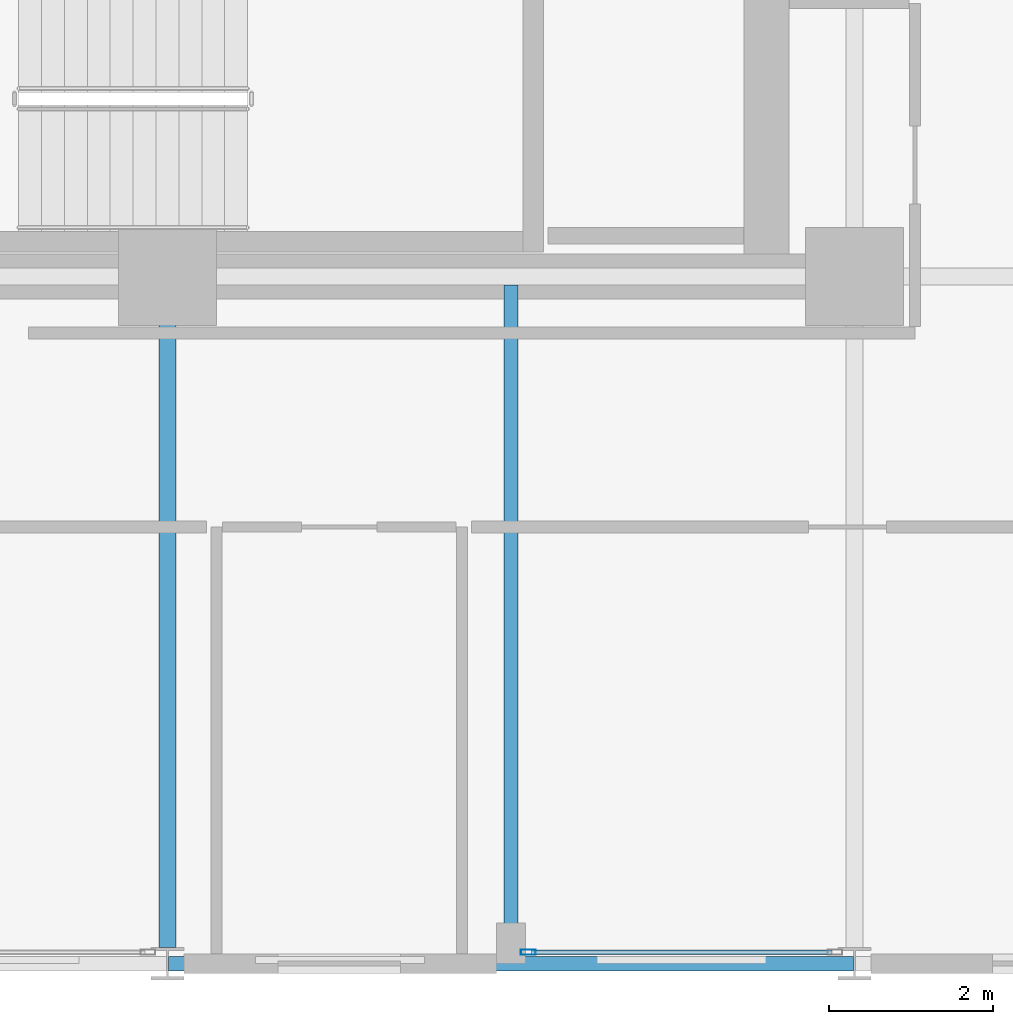
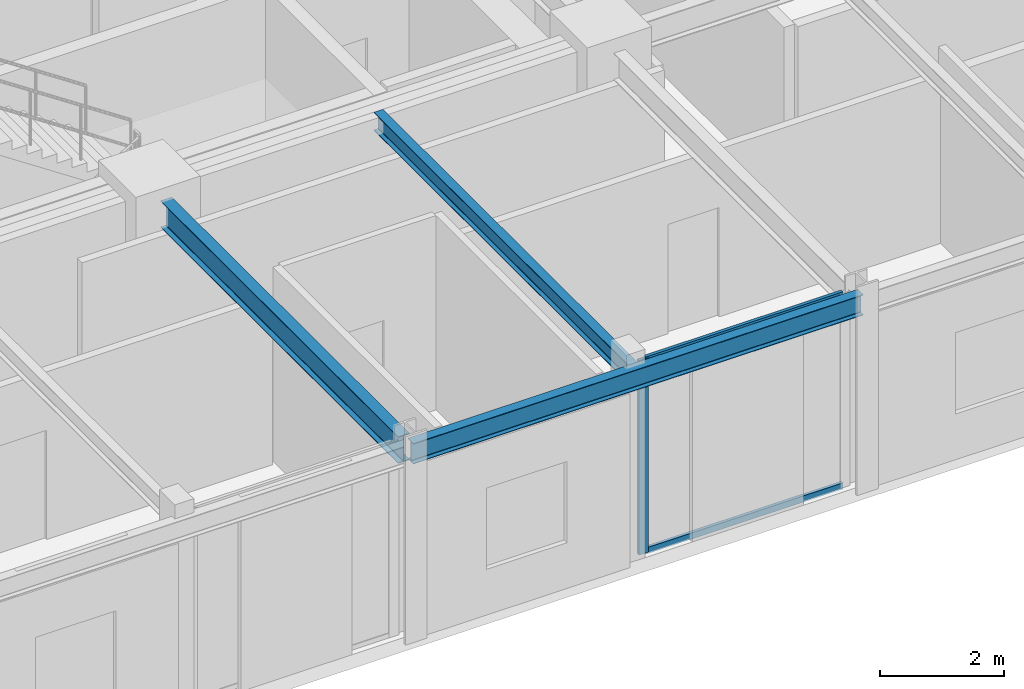
# One storey, part 9 of 38: 3 beams, 3 members, 1 element without a shape of its own.
"""IFC4 building model written with IfcOpenShell, lengths in metres."""

import ifcopenshell
import ifcopenshell.guid

model = None  # the IFC model being written
_history = None  # IfcOwnerHistory: only IFC2X3 demands one
_inside = {}  # id of a spatial element -> (the spatial element, [elements in it])
_under = {}  # id of a project, library or spatial element -> (it, [spatial elements below it])
_declared = {}  # id of a project -> (the project, [libraries it declares])
_typed = {}  # id of a type object -> (the type object, [elements of that type])
_made_of = {}  # id of a material, layer set ... -> (it, [elements and type objects made of it])


def new_model(schema):
    """Start an empty IFC model of exactly this schema.

    Asked for "IFC4X3", IfcOpenShell would pick the latest addendum, in which some entities
    have other attributes; the version numbers below select the first issue.
    IFC2X3 requires an IfcOwnerHistory on every rooted entity: one is made here for all.
    """
    global model, _history
    if schema == "IFC4X3":
        model = ifcopenshell.file(schema_version=(4, 3, 0, 0))
    else:
        model = ifcopenshell.file(schema=schema)
    _inside.clear()
    _under.clear()
    _declared.clear()
    _typed.clear()
    _made_of.clear()
    _history = None
    if model.schema == "IFC2X3":
        org = make("IfcOrganization", Name="unknown")
        user = make(
            "IfcPersonAndOrganization",
            ThePerson=make("IfcPerson", FamilyName="unknown"),
            TheOrganization=org,
        )
        app = make(
            "IfcApplication",
            ApplicationDeveloper=org,
            Version="unknown",
            ApplicationFullName="unknown",
            ApplicationIdentifier="unknown",
        )
        _history = make(
            "IfcOwnerHistory",
            OwningUser=user,
            OwningApplication=app,
            ChangeAction="ADDED",
            CreationDate=0,
        )
    return model


def make(cls, **values):
    """One entity of the class cls with the attributes given. An attribute that is None is left unset."""
    return model.create_entity(
        cls, **{name: value for name, value in values.items() if value is not None}
    )


def rooted(cls, **values):
    """An entity with a GlobalId (a new one), such as an element, a storey or a relation."""
    return make(cls, GlobalId=ifcopenshell.guid.new(), OwnerHistory=_history, **values)


def si_unit(unit_type, name, prefix=None):
    """IfcSIUnit, for example si_unit("LENGTHUNIT", "METRE", prefix="MILLI")."""
    return make("IfcSIUnit", UnitType=unit_type, Prefix=prefix, Name=name)


def assignment(units):
    """IfcUnitAssignment: the units of a project."""
    return None if units is None else make("IfcUnitAssignment", Units=units)


def point(xyz):
    """IfcCartesianPoint."""
    return None if xyz is None else make("IfcCartesianPoint", Coordinates=xyz)


def direction(xyz):
    """IfcDirection."""
    return None if xyz is None else make("IfcDirection", DirectionRatios=xyz)


def frame(location, z_axis=None, x_axis=None):
    """IfcAxis2Placement3D, a coordinate frame: its origin and axes. An axis left out is left unset."""
    return make(
        "IfcAxis2Placement3D",
        Location=point(location),
        Axis=direction(z_axis),
        RefDirection=direction(x_axis),
    )


def frame_2d(location, x_axis=None):
    """IfcAxis2Placement2D, a coordinate frame in the plane: its origin and x axis."""
    return make(
        "IfcAxis2Placement2D", Location=point(location), RefDirection=direction(x_axis)
    )


def origin():
    """The frame at (0, 0, 0) with its axes left unset."""
    return frame((0.0, 0.0, 0.0))


def origin_2d():
    """The frame at (0, 0) in the plane with its x axis left unset."""
    return frame_2d((0.0, 0.0))


def place(relative_to, where):
    """IfcLocalPlacement: puts the frame where relative to a parent placement (None: the world)."""
    return make(
        "IfcLocalPlacement", PlacementRelTo=relative_to, RelativePlacement=where
    )


def context(
    kind, dimensions, precision=None, world=None, true_north=None, identifier=None
):
    """IfcGeometricRepresentationContext, for example the 3D "Model" context."""
    return make(
        "IfcGeometricRepresentationContext",
        ContextIdentifier=identifier,
        ContextType=kind,
        CoordinateSpaceDimension=dimensions,
        Precision=precision,
        WorldCoordinateSystem=world,
        TrueNorth=true_north,
    )


def subcontext(parent, identifier, kind, view, scale=None):
    """IfcGeometricRepresentationSubContext, for example "Body" below "Model"."""
    return make(
        "IfcGeometricRepresentationSubContext",
        ContextIdentifier=identifier,
        ContextType=kind,
        ParentContext=parent,
        TargetScale=scale,
        TargetView=view,
    )


def project(units=None, contexts=None):
    """IfcProject with its units and contexts."""
    return rooted(
        "IfcProject",
        Name="project",
        RepresentationContexts=contexts,
        UnitsInContext=assignment(units),
    )


def spatial(cls, under=None, at=None, **own):
    """A site, building, storey or space (cls), placed at a placement, below another one or the project."""
    s = rooted(cls, ObjectPlacement=at, **own)
    if under is not None:
        _under.setdefault(under.id(), (under, []))[1].append(s)
    return s


def profile(cls, at=None, kind="AREA", **sizes):
    """A parametric profile (cls). Its sizes go by their IFC names, for example OverallWidth=200.0."""
    return make(cls, ProfileType=kind, Position=at, **sizes)


def hollow_rectangle(**sizes):
    """IfcRectangleHollowProfileDef."""
    return profile("IfcRectangleHollowProfileDef", **sizes)


def i_section(**sizes):
    """IfcIShapeProfileDef."""
    return profile("IfcIShapeProfileDef", **sizes)


def extrude(swept, where, along, depth):
    """IfcExtrudedAreaSolid: the profile swept, set in the frame where, extruded along a direction by depth."""
    return make(
        "IfcExtrudedAreaSolid",
        SweptArea=swept,
        Position=where,
        ExtrudedDirection=direction(along),
        Depth=depth,
    )


def shape(context_of_items, identifier, shape_type, items):
    """IfcShapeRepresentation: the items that make up one representation, for example the "Body"."""
    return make(
        "IfcShapeRepresentation",
        ContextOfItems=context_of_items,
        RepresentationIdentifier=identifier,
        RepresentationType=shape_type,
        Items=items,
    )


def material(Name=None, Category=None):
    """IfcMaterial."""
    return make("IfcMaterial", Name=Name, Category=Category)


def layer(
    of_material, thickness, ventilated=None, Name=None, Category=None, Priority=None
):
    """IfcMaterialLayer: one layer of a wall or slab, of a material (None: an air gap)."""
    return make(
        "IfcMaterialLayer",
        Material=of_material,
        LayerThickness=thickness,
        IsVentilated=ventilated,
        Name=Name,
        Category=Category,
        Priority=Priority,
    )


def layer_set(layers, Name=None):
    """IfcMaterialLayerSet."""
    return make("IfcMaterialLayerSet", MaterialLayers=layers, LayerSetName=Name)


def material_profile(
    of_material, cross_section, Name=None, Category=None, Priority=None
):
    """IfcMaterialProfile: a cross section and its material."""
    return make(
        "IfcMaterialProfile",
        Name=Name,
        Material=of_material,
        Profile=cross_section,
        Priority=Priority,
        Category=Category,
    )


def profile_set(profiles, Name=None, composite=None):
    """IfcMaterialProfileSet."""
    return make(
        "IfcMaterialProfileSet",
        Name=Name,
        MaterialProfiles=profiles,
        CompositeProfile=composite,
    )


def made_of(thing, what):
    """Note that an element or type object is made of a material, layer set ...; save() writes the relation."""
    if what is not None:
        _made_of.setdefault(what.id(), (what, []))[1].append(thing)
    return thing


def type_object(cls, material=None, **own):
    """A type object (cls), such as IfcWallType, which elements share."""
    return made_of(rooted(cls, **own), material)


def element(
    cls,
    number,
    at=None,
    inside=None,
    cuts=None,
    type_object=None,
    material=None,
    context=None,
    identifier="Body",
    shape_type=None,
    held_by="IfcProductDefinitionShape",
    body=None,
    shapes=None,
    **own,
):
    """One element of the class cls, such as IfcWall. Its Tag is "e" and its number.

    at: its placement. inside: the storey or other place that contains it. cuts: it is an
    opening in that element (IfcRelVoidsElement). A single representation is given by context,
    identifier, shape_type and body (its items); several are given by shapes. held_by: the class
    of the entity that holds the representations. save() writes the other relations.
    """
    e = rooted(cls, Tag="e%d" % number, ObjectPlacement=at, **own)
    if body is not None:
        shapes = [shape(context, identifier, shape_type, body)]
    if shapes is not None:
        e.Representation = make(held_by, Representations=shapes)
    if inside is not None:
        _inside.setdefault(inside.id(), (inside, []))[1].append(e)
    if cuts is not None:
        rooted(
            "IfcRelVoidsElement", RelatingBuildingElement=cuts, RelatedOpeningElement=e
        )
    if type_object is not None:
        _typed.setdefault(type_object.id(), (type_object, []))[1].append(e)
    return made_of(e, material)


def aggregate(whole, parts):
    """IfcRelAggregates: a whole, such as a stair, and the parts it consists of."""
    return rooted("IfcRelAggregates", RelatingObject=whole, RelatedObjects=parts)


def save(model, path):
    """Write the relations noted so far, then the file.

    IfcRelAggregates (storeys below a building ...), IfcRelContainedInSpatialStructure (elements
    in a storey), IfcRelDefinesByType, IfcRelAssociatesMaterial and IfcRelDeclares: one each for
    every whole, place, type object, material and project.
    """
    for whole, parts in _under.values():
        aggregate(whole, parts)
    for where, things in _inside.values():
        rooted(
            "IfcRelContainedInSpatialStructure",
            RelatedElements=things,
            RelatingStructure=where,
        )
    for kind, things in _typed.values():
        rooted("IfcRelDefinesByType", RelatedObjects=things, RelatingType=kind)
    for what, things in _made_of.values():
        rooted("IfcRelAssociatesMaterial", RelatedObjects=things, RelatingMaterial=what)
    for by, libraries in _declared.values():
        rooted("IfcRelDeclares", RelatingContext=by, RelatedDefinitions=libraries)
    model.write(path)


model = new_model("IFC4")

# Units and contexts
model_context = context("Model", 3, precision=1e-05, world=origin(), true_north=direction((0.0, 1.0)))
body_context = subcontext(model_context, "Body", "Model", "MODEL_VIEW")
ifc_project = project(units=[si_unit("LENGTHUNIT", "METRE"), si_unit("AREAUNIT", "SQUARE_METRE"), si_unit("VOLUMEUNIT", "CUBIC_METRE"), si_unit("PLANEANGLEUNIT", "RADIAN"), si_unit("MASSUNIT", "GRAM", prefix="KILO")], contexts=[model_context])

# Site, building, storey
site_placement = place(None, origin())
site = spatial("IfcSite", under=ifc_project, at=site_placement, CompositionType="ELEMENT")
building_placement = place(site_placement, origin())
building = spatial("IfcBuilding", under=site, at=building_placement, Name="Nerrivon Quay Data Exchange", CompositionType="ELEMENT")
storey_placement = place(building_placement, frame((0.0, 0.0, 88.5)))
storey = spatial("IfcBuildingStorey", under=building, at=storey_placement, Name="L20", CompositionType="ELEMENT", Elevation=88.5)

# Beams
ifc_material_1 = material(Name="Steel Grade 350", Category="steel")
ifc_material_profile_1 = material_profile(ifc_material_1, i_section(OverallWidth=0.208984375, OverallDepth=0.528076171875, WebThickness=0.009521484375, FlangeThickness=0.01318359375, FilletRadius=0.013916015625, at=origin_2d()), Name="530UB82.0")
ifc_profile_set_1 = profile_set([ifc_material_profile_1], Name="Steel Grade 350")
beam_type_1 = type_object("IfcBeamType", Name="BM-G4-530UB82", PredefinedType="BEAM", material=ifc_profile_set_1)
beam_1_placement = place(storey_placement, frame((25.199951171875, 0.199951171875, 3.56103515625), z_axis=(0.0, 1.0, 0.0), x_axis=(-1.0, 0.0, 0.0)))
element("IfcBeam", 1, at=beam_1_placement, inside=storey, type_object=beam_type_1, Name="L20 NS Girder X=25.2 (0.0..8.4)", PredefinedType="BEAM", context=body_context, shape_type="SweptSolid", body=[
    extrude(i_section(OverallWidth=0.208984375, OverallDepth=0.528076171875, WebThickness=0.009521484375, FlangeThickness=0.01318359375, FilletRadius=0.013916015625, at=origin_2d()), origin(), (0.0, 0.0, 1.0), 7.66015625),
])
ifc_material_profile_2 = material_profile(ifc_material_1, i_section(OverallWidth=0.1708984375, OverallDepth=0.35595703125, WebThickness=0.00732421875, FlangeThickness=0.011474609375, FilletRadius=0.011474609375, at=origin_2d()), Name="360UB50.7")
ifc_profile_set_2 = profile_set([ifc_material_profile_2], Name="Steel Grade 350")
beam_type_2 = type_object("IfcBeamType", Name="BM-J4-360UB51", PredefinedType="JOIST", material=ifc_profile_set_2)
beam_2_placement = place(storey_placement, frame((29.39990234375, 0.089111328125, 3.64697265625), z_axis=(0.0, 1.0, 0.0), x_axis=(-1.0, 0.0, 0.0)))
element("IfcBeam", 2, at=beam_2_placement, inside=storey, type_object=beam_type_2, Name="L20 Secondary Joist X=29.4 (0.0..8.4)", PredefinedType="JOIST", context=body_context, shape_type="SweptSolid", body=[
    extrude(i_section(OverallWidth=0.1708984375, OverallDepth=0.35595703125, WebThickness=0.00732421875, FlangeThickness=0.011474609375, FilletRadius=0.011474609375, at=origin_2d()), origin(), (0.0, 0.0, 1.0), 8.206298828125),
])
ifc_material_profile_3 = material_profile(ifc_material_1, i_section(OverallWidth=0.177978515625, OverallDepth=0.403076171875, WebThickness=0.007568359375, FlangeThickness=0.010986328125, FilletRadius=0.011474609375, at=origin_2d()), Name="410UB53.7")
ifc_profile_set_3 = profile_set([ifc_material_profile_3], Name="Steel Grade 350")
beam_type_3 = type_object("IfcBeamType", Name="BM-SP2-410UB54", PredefinedType="SPANDREL", material=ifc_profile_set_3)
beam_3_placement = place(storey_placement, frame((25.21240234375, 0.0, 3.62353515625), z_axis=(1.0, 0.0, 0.0), x_axis=(0.0, 1.0, 0.0)))
element("IfcBeam", 3, at=beam_3_placement, inside=storey, type_object=beam_type_3, Name="L20 EW Girder Y=0.0 (25.2..33.6)", PredefinedType="SPANDREL", context=body_context, shape_type="SweptSolid", body=[
    extrude(i_section(OverallWidth=0.177978515625, OverallDepth=0.403076171875, WebThickness=0.007568359375, FlangeThickness=0.010986328125, FilletRadius=0.011474609375, at=origin_2d()), origin(), (0.0, 0.0, 1.0), 8.375),
])

# Curtain wall, members
ifc_material_2 = material(Name="Anodised aluminium 6063-T6", Category="aluminium")
ifc_layer = layer(ifc_material_2, 0.2099609375)
ifc_layer_set = layer_set([ifc_layer], Name="Anodised aluminium 6063-T6")
curtain_wall_type = type_object("IfcCurtainWallType", Name="CW-SYS-02", PredefinedType="NOTDEFINED", material=ifc_layer_set)
curtain_wall_placement = place(storey_placement, origin())
curtain_wall = element("IfcCurtainWall", 4, at=curtain_wall_placement, inside=storey, type_object=curtain_wall_type, Name="L20 Unitised Curtain Wall 8", PredefinedType="NOTDEFINED")
ifc_material_profile_4 = material_profile(ifc_material_2, hollow_rectangle(XDim=0.06494140625, YDim=0.179931640625, WallThickness=0.00341796875, at=origin_2d()), Name="ALU-MULL-180x65")
ifc_profile_set_4 = profile_set([ifc_material_profile_4], Name="Anodised aluminium 6063-T6")
member_type_1 = type_object("IfcMemberType", Name="CWM-180x65", PredefinedType="MULLION", material=ifc_profile_set_4)
member_1_placement = place(storey_placement, frame((29.612548828125, 0.139892578125, 0.0), z_axis=(0.0, 0.0, 1.0), x_axis=(0.0, -1.0, 0.0)))
member_1 = element("IfcMember", 5, at=member_1_placement, type_object=member_type_1, Name="CW02 mullion 2", PredefinedType="MULLION", context=body_context, shape_type="SweptSolid", body=[
    extrude(hollow_rectangle(XDim=0.06494140625, YDim=0.179931640625, WallThickness=0.00341796875, at=origin_2d()), origin(), (0.0, 0.0, 1.0), 3.824951171875),
])
ifc_material_profile_5 = material_profile(ifc_material_2, hollow_rectangle(XDim=0.06005859375, YDim=0.1201171875, WallThickness=0.003173828125, at=origin_2d()), Name="ALU-TRAN-120x60")
ifc_profile_set_5 = profile_set([ifc_material_profile_5], Name="Anodised aluminium 6063-T6")
member_type_2 = type_object("IfcMemberType", Name="CWT-120x60", PredefinedType="USERDEFINED", material=ifc_profile_set_5)
member_2_placement = place(storey_placement, frame((33.324951171875, 0.139892578125, 0.032470703125), z_axis=(-1.0, 0.0, 0.0), x_axis=(0.0, -1.0, 0.0)))
member_2 = element("IfcMember", 6, at=member_2_placement, type_object=member_type_2, Name="CW02 transom 1.1", ObjectType="TRANSOM", PredefinedType="USERDEFINED", context=body_context, shape_type="SweptSolid", body=[
    extrude(hollow_rectangle(XDim=0.06005859375, YDim=0.1201171875, WallThickness=0.003173828125, at=origin_2d()), origin(), (0.0, 0.0, 1.0), 3.675048828125),
])
member_3_placement = place(storey_placement, frame((33.324951171875, 0.139892578125, 3.79248046875), z_axis=(-1.0, 0.0, 0.0), x_axis=(0.0, -1.0, 0.0)))
member_3 = element("IfcMember", 7, at=member_3_placement, type_object=member_type_2, Name="CW02 transom 1.2", ObjectType="TRANSOM", PredefinedType="USERDEFINED", context=body_context, shape_type="SweptSolid", body=[
    extrude(hollow_rectangle(XDim=0.06005859375, YDim=0.1201171875, WallThickness=0.003173828125, at=origin_2d()), origin(), (0.0, 0.0, 1.0), 3.675048828125),
])
aggregate(curtain_wall, [member_1, member_2, member_3])

save(model, "model.ifc")
